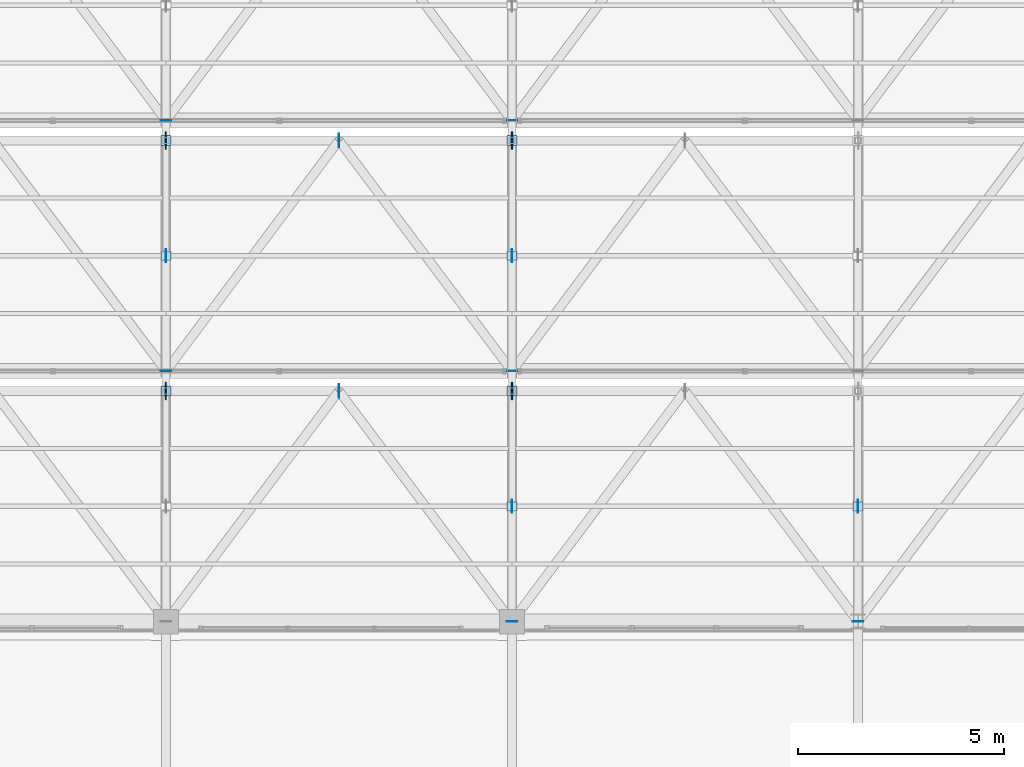
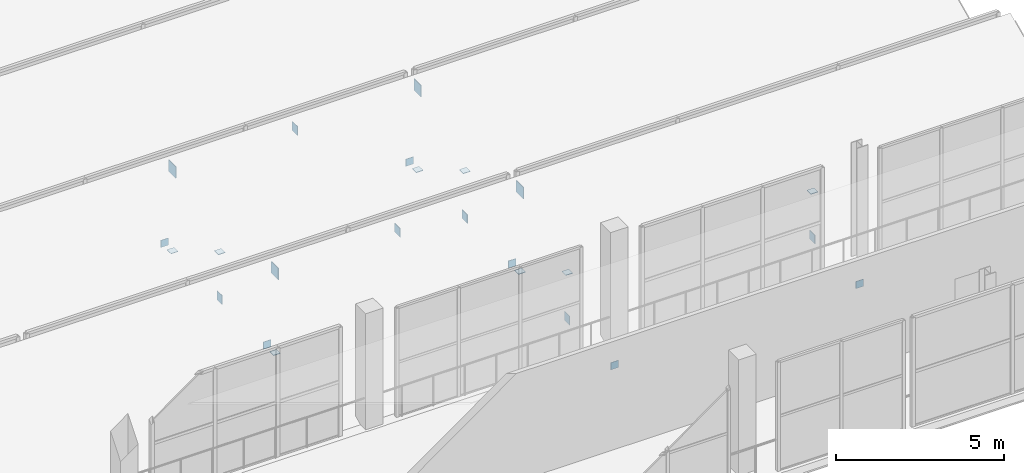
# One storey, part 182 of 217: 24 plates.
"""IFC4 building model written with IfcOpenShell, lengths in metres."""

from ifc_helpers import new_model, si_unit, direction, frame, origin, origin_2d, place, context, subcontext, project, spatial, rectangle, extrude, material, layer, layer_set, type_object, element, save


model = new_model("IFC4")

# Units and contexts
model_context = context("Model", 3, precision=1e-05, world=origin(), true_north=direction((0.0, 1.0)))
body_context = subcontext(model_context, "Body", "Model", "MODEL_VIEW")
ifc_project = project(units=[si_unit("LENGTHUNIT", "METRE"), si_unit("AREAUNIT", "SQUARE_METRE"), si_unit("VOLUMEUNIT", "CUBIC_METRE"), si_unit("PLANEANGLEUNIT", "RADIAN"), si_unit("MASSUNIT", "GRAM", prefix="KILO")], contexts=[model_context])

# Site, building, storey
site_placement = place(None, origin())
site = spatial("IfcSite", under=ifc_project, at=site_placement, CompositionType="ELEMENT")
building_placement = place(site_placement, origin())
building = spatial("IfcBuilding", under=site, at=building_placement, Name="Zuvorla Pavilion Media Centre", CompositionType="ELEMENT")
storey_placement = place(building_placement, frame((0.0, 0.0, 9.60009765625)))
storey = spatial("IfcBuildingStorey", under=building, at=storey_placement, Name="L02", CompositionType="ELEMENT", Elevation=9.60009765625)

# Plates
ifc_material = material(Name="Steel S355", Category="steel")
ifc_layer_1 = layer(ifc_material, 0.01611328125)
ifc_layer_set_1 = layer_set([ifc_layer_1], Name="Steel S355")
plate_type_1 = type_object("IfcPlateType", Name="PLT-CAP-16", PredefinedType="USERDEFINED", material=ifc_layer_set_1)
for number, where, z_axis, x_axis, name in (
    (1, (117.199951171875, 89.60009765625, -1.01025390625), (0.0, 0.0, 1.0), (1.0, 0.0, 0.0), "L02 cap plate CP16 14"),
    (2, (125.60009765625, 89.60009765625, -1.01025390625), (0.0, 0.0, 1.0), (1.0, 0.0, 0.0), "L02 cap plate CP16 16"),
    (3, (108.800048828125, 95.679931640625, -1.01025390625), (0.0, 0.0, 1.0), (1.0, 0.0, 0.0), "L02 cap plate CP16 30"),
    (4, (117.199951171875, 95.679931640625, -1.01025390625), (0.0, 0.0, 1.0), (1.0, 0.0, 0.0), "L02 cap plate CP16 32"),
    (5, (108.800048828125, 101.760009765625, -1.01025390625), (0.0, 0.0, 1.0), (1.0, 0.0, 0.0), "L02 cap plate CP16 48"),
    (6, (117.199951171875, 101.760009765625, -1.01025390625), (0.0, 0.0, 1.0), (1.0, 0.0, 0.0), "L02 cap plate CP16 50"),
):
    element("IfcPlate", number, at=place(storey_placement, frame(where, z_axis=z_axis, x_axis=x_axis)), inside=storey, type_object=plate_type_1, Name=name, ObjectType="CAP_PLATE", PredefinedType="USERDEFINED", context=body_context, shape_type="SweptSolid", body=[
        extrude(rectangle(XDim=0.260009765625, YDim=0.01611328125, at=origin_2d()), origin(), (0.0, 0.0, 1.0), 0.260009765625),
    ])
for number, where, z_axis, x_axis, name in (
    (7, (108.800048828125, 95.199951171875, -0.88818359375), (0.0, 0.0, 1.0), (1.0, 0.0, 0.0), "L02 cap plate CP16 232"),
    (8, (117.199951171875, 95.199951171875, -0.88818359375), (0.0, 0.0, 1.0), (1.0, 0.0, 0.0), "L02 cap plate CP16 235"),
    (9, (117.199951171875, 92.39990234375, 0.771728515625), (0.0, 0.0, 1.0), (1.0, 0.0, 0.0), "L02 cap plate CP16 237"),
    (10, (125.60009765625, 92.39990234375, 0.771728515625), (0.0, 0.0, 1.0), (1.0, 0.0, 0.0), "L02 cap plate CP16 240"),
    (11, (108.800048828125, 101.280029296875, -0.88818359375), (0.0, 0.0, 1.0), (1.0, 0.0, 0.0), "L02 cap plate CP16 267"),
    (12, (108.800048828125, 98.47998046875, 0.771728515625), (0.0, 0.0, 1.0), (1.0, 0.0, 0.0), "L02 cap plate CP16 269"),
    (13, (117.199951171875, 101.280029296875, -0.88818359375), (0.0, 0.0, 1.0), (1.0, 0.0, 0.0), "L02 cap plate CP16 270"),
    (14, (117.199951171875, 98.47998046875, 0.771728515625), (0.0, 0.0, 1.0), (1.0, 0.0, 0.0), "L02 cap plate CP16 272"),
):
    element("IfcPlate", number, at=place(storey_placement, frame(where, z_axis=z_axis, x_axis=x_axis)), inside=storey, type_object=plate_type_1, Name=name, ObjectType="CAP_PLATE", PredefinedType="USERDEFINED", context=body_context, shape_type="SweptSolid", body=[
        extrude(rectangle(XDim=0.239990234375, YDim=0.239990234375, at=origin_2d()), origin(), (0.0, 0.0, 1.0), 0.01611328125),
    ])
ifc_layer_2 = layer(ifc_material, 0.02001953125)
ifc_layer_set_2 = layer_set([ifc_layer_2], Name="Steel S355")
plate_type_2 = type_object("IfcPlateType", Name="PLT-GUS-20", PredefinedType="USERDEFINED", material=ifc_layer_set_2)
for number, where, z_axis, x_axis, name in (
    (15, (117.199951171875, 92.39990234375, -1.0400390625), (0.0, 0.0, 1.0), (1.0, 0.0, 0.0), "L02 gusset plate GP20 236"),
    (16, (125.60009765625, 92.39990234375, -1.0400390625), (0.0, 0.0, 1.0), (1.0, 0.0, 0.0), "L02 gusset plate GP20 239"),
    (17, (113.0, 95.199951171875, 1.919921875), (0.0, 0.0, 1.0), (1.0, 0.0, 0.0), "L02 gusset plate GP20 249"),
    (18, (108.800048828125, 98.47998046875, -1.0400390625), (0.0, 0.0, 1.0), (1.0, 0.0, 0.0), "L02 gusset plate GP20 268"),
    (19, (117.199951171875, 98.47998046875, -1.0400390625), (0.0, 0.0, 1.0), (1.0, 0.0, 0.0), "L02 gusset plate GP20 271"),
    (20, (113.0, 101.280029296875, 1.919921875), (0.0, 0.0, 1.0), (1.0, 0.0, 0.0), "L02 gusset plate GP20 284"),
):
    element("IfcPlate", number, at=place(storey_placement, frame(where, z_axis=z_axis, x_axis=x_axis)), inside=storey, type_object=plate_type_2, Name=name, ObjectType="GUSSET_PLATE", PredefinedType="USERDEFINED", context=body_context, shape_type="SweptSolid", body=[
        extrude(rectangle(XDim=0.02001953125, YDim=0.320068359375, at=origin_2d()), origin(), (0.0, 0.0, 1.0), 0.320068359375),
    ])
ifc_layer_3 = layer(ifc_material, 0.02490234375)
ifc_layer_set_3 = layer_set([ifc_layer_3], Name="Steel S355")
plate_type_3 = type_object("IfcPlateType", Name="PLT-GUS-25", PredefinedType="USERDEFINED", material=ifc_layer_set_3)
for number, where, z_axis, x_axis, name in (
    (21, (108.800048828125, 95.199951171875, 1.87353515625), (0.0, 0.0, 1.0), (1.0, 0.0, 0.0), "L02 gusset plate GP25 11"),
    (22, (117.199951171875, 95.199951171875, 1.87353515625), (0.0, 0.0, 1.0), (1.0, 0.0, 0.0), "L02 gusset plate GP25 13"),
    (23, (108.800048828125, 101.280029296875, 1.87353515625), (0.0, 0.0, 1.0), (1.0, 0.0, 0.0), "L02 gusset plate GP25 29"),
    (24, (117.199951171875, 101.280029296875, 1.87353515625), (0.0, 0.0, 1.0), (1.0, 0.0, 0.0), "L02 gusset plate GP25 31"),
):
    element("IfcPlate", number, at=place(storey_placement, frame(where, z_axis=z_axis, x_axis=x_axis)), inside=storey, type_object=plate_type_3, Name=name, ObjectType="GUSSET_PLATE", PredefinedType="USERDEFINED", context=body_context, shape_type="SweptSolid", body=[
        extrude(rectangle(XDim=0.02490234375, YDim=0.419921875, at=origin_2d()), origin(), (0.0, 0.0, 1.0), 0.419921875),
    ])

save(model, "model.ifc")
